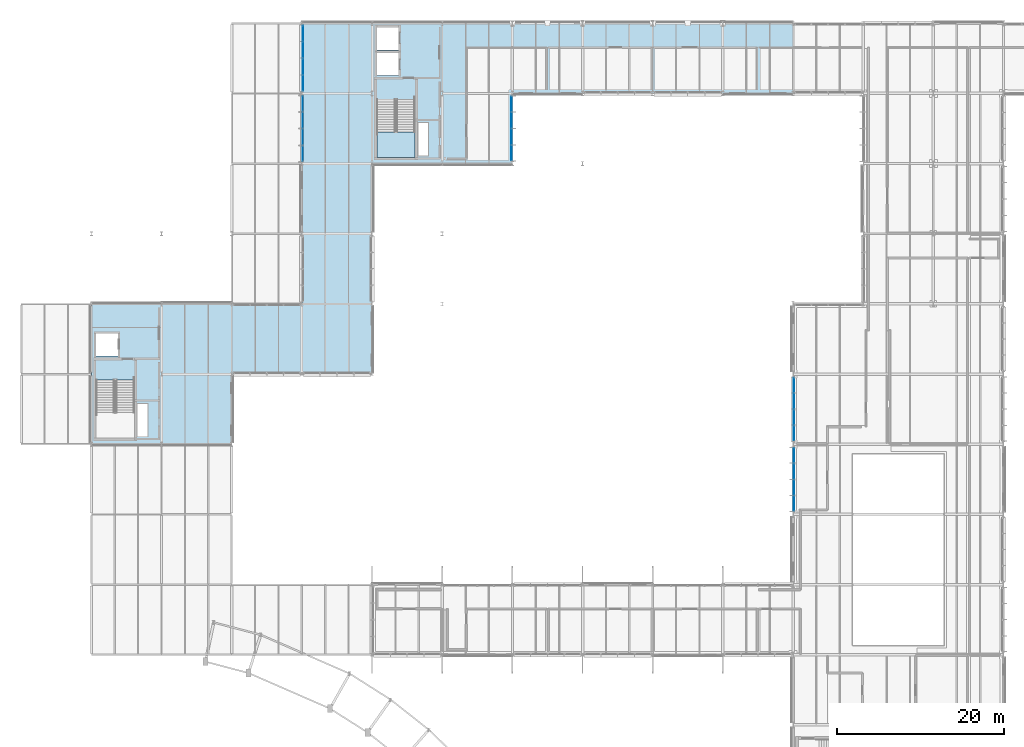
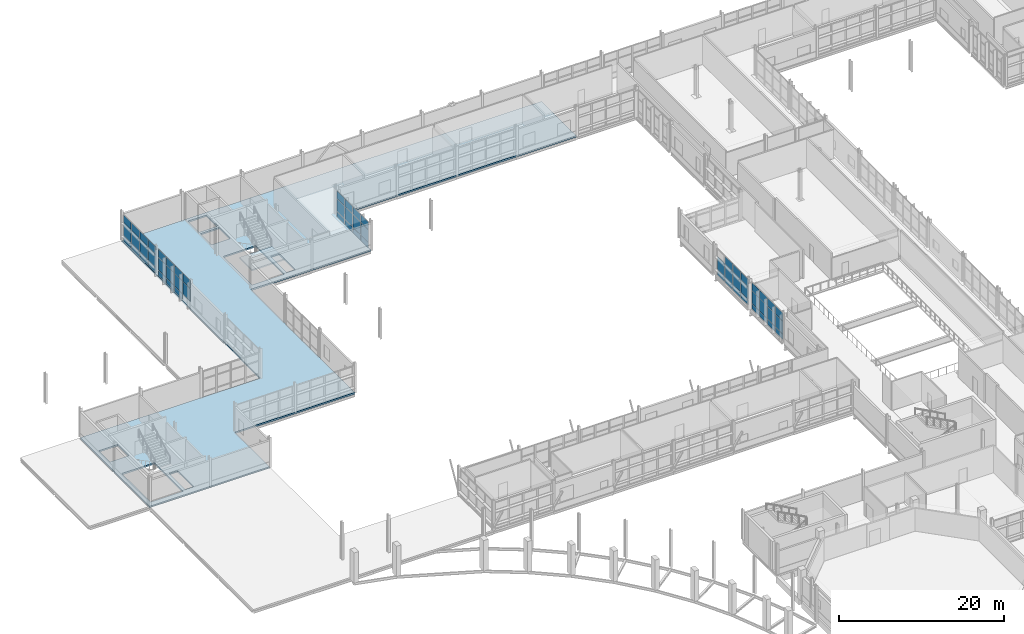
# One storey, part 85 of 129: 58 plates, 2 slabs, 6 elements without a shape of their own.
"""IFC4 building model written with IfcOpenShell, lengths in metres."""

from ifc_helpers import new_model, si_unit, direction, frame, origin, origin_2d, place, context, subcontext, project, spatial, polyline, rectangle, outline, extrude, material, layer, layer_set, type_object, element, aggregate, save


model = new_model("IFC4")

# Units and contexts
model_context = context("Model", 3, precision=1e-05, world=origin(), true_north=direction((0.0, 1.0)))
body_context = subcontext(model_context, "Body", "Model", "MODEL_VIEW")
ifc_project = project(units=[si_unit("LENGTHUNIT", "METRE"), si_unit("AREAUNIT", "SQUARE_METRE"), si_unit("VOLUMEUNIT", "CUBIC_METRE"), si_unit("PLANEANGLEUNIT", "RADIAN"), si_unit("MASSUNIT", "GRAM", prefix="KILO")], contexts=[model_context])

# Site, building, storey
site_placement = place(None, origin())
site = spatial("IfcSite", under=ifc_project, at=site_placement, CompositionType="ELEMENT")
building_placement = place(site_placement, origin())
building = spatial("IfcBuilding", under=site, at=building_placement, Name="Mersafa Astral City Hall", CompositionType="ELEMENT")
storey_placement = place(building_placement, frame((0.0, 0.0, 5.39990234375)))
storey = spatial("IfcBuildingStorey", under=building, at=storey_placement, Name="L01", CompositionType="ELEMENT", Elevation=5.39990234375)

# Curtain wall, plates
ifc_material_1 = material(Name="Anodised bronze aluminium framing", Category="aluminium")
curtain_wall_type_1 = type_object("IfcCurtainWallType", Name="ENV-CW-3", PredefinedType="USERDEFINED", material=ifc_material_1)
curtain_wall_1_placement = place(storey_placement, origin())
curtain_wall_1 = element("IfcCurtainWall", 1, at=curtain_wall_1_placement, inside=storey, type_object=curtain_wall_type_1, Name="L01 Unitised solar curtain wall 80", ObjectType="UNITISED CURTAIN WALL", PredefinedType="USERDEFINED")
ifc_material_2 = material(Name="Solar control low-e double glazing", Category="glass")
ifc_layer_1 = layer(ifc_material_2, 0.028076171875, Name="Solar control low-e double glazing")
ifc_layer_set_1 = layer_set([ifc_layer_1], Name="Solar control low-e double glazing — ENV-CW-PNL-GLZ-1")
plate_type_1 = type_object("IfcPlateType", Name="ENV-CW-PNL-GLZ-1", PredefinedType="CURTAIN_PANEL", material=ifc_layer_set_1)
plate_1_placement = place(storey_placement, frame((33.719970703125, 116.374755859375, 0.05810546875), z_axis=(0.0, 0.0, 1.0), x_axis=(0.0, -1.0, 0.0)))
plate_1 = element("IfcPlate", 2, at=plate_1_placement, type_object=plate_type_1, Name="CW-3 panel 1.1", PredefinedType="CURTAIN_PANEL", context=body_context, shape_type="SweptSolid", body=[
    extrude(rectangle(XDim=1.826416015625, YDim=0.028076171875, at=origin_2d()), origin(), (0.0, 0.0, 1.0), 0.761962890625),
])
plate_2_placement = place(storey_placement, frame((33.719970703125, 116.374755859375, 0.8798828125), z_axis=(0.0, 0.0, 1.0), x_axis=(0.0, -1.0, 0.0)))
plate_2 = element("IfcPlate", 3, at=plate_2_placement, type_object=plate_type_1, Name="CW-3 panel 1.2", PredefinedType="CURTAIN_PANEL", context=body_context, shape_type="SweptSolid", body=[
    extrude(rectangle(XDim=1.826416015625, YDim=0.028076171875, at=origin_2d()), origin(), (0.0, 0.0, 1.0), 1.840087890625),
])
plate_3_placement = place(storey_placement, frame((33.719970703125, 116.374755859375, 2.780029296875), z_axis=(0.0, 0.0, 1.0), x_axis=(0.0, -1.0, 0.0)))
plate_3 = element("IfcPlate", 4, at=plate_3_placement, type_object=plate_type_1, Name="CW-3 panel 1.3", PredefinedType="CURTAIN_PANEL", context=body_context, shape_type="SweptSolid", body=[
    extrude(rectangle(XDim=1.826416015625, YDim=0.028076171875, at=origin_2d()), origin(), (0.0, 0.0, 1.0), 1.18701171875),
])
plate_4_placement = place(storey_placement, frame((33.719970703125, 114.398193359375, 0.05810546875), z_axis=(0.0, 0.0, 1.0), x_axis=(0.0, -1.0, 0.0)))
plate_4 = element("IfcPlate", 5, at=plate_4_placement, type_object=plate_type_1, Name="CW-3 panel 2.1", PredefinedType="CURTAIN_PANEL", context=body_context, shape_type="SweptSolid", body=[
    extrude(rectangle(XDim=1.886474609375, YDim=0.028076171875, at=origin_2d()), origin(), (0.0, 0.0, 1.0), 0.761962890625),
])
plate_5_placement = place(storey_placement, frame((33.719970703125, 114.398193359375, 0.8798828125), z_axis=(0.0, 0.0, 1.0), x_axis=(0.0, -1.0, 0.0)))
plate_5 = element("IfcPlate", 6, at=plate_5_placement, type_object=plate_type_1, Name="CW-3 panel 2.2", PredefinedType="CURTAIN_PANEL", context=body_context, shape_type="SweptSolid", body=[
    extrude(rectangle(XDim=1.886474609375, YDim=0.028076171875, at=origin_2d()), origin(), (0.0, 0.0, 1.0), 1.840087890625),
])
plate_6_placement = place(storey_placement, frame((33.719970703125, 114.398193359375, 2.780029296875), z_axis=(0.0, 0.0, 1.0), x_axis=(0.0, -1.0, 0.0)))
plate_6 = element("IfcPlate", 7, at=plate_6_placement, type_object=plate_type_1, Name="CW-3 panel 2.3", PredefinedType="CURTAIN_PANEL", context=body_context, shape_type="SweptSolid", body=[
    extrude(rectangle(XDim=1.886474609375, YDim=0.028076171875, at=origin_2d()), origin(), (0.0, 0.0, 1.0), 1.18701171875),
])
plate_7_placement = place(storey_placement, frame((33.719970703125, 112.391845703125, 0.05810546875), z_axis=(0.0, 0.0, 1.0), x_axis=(0.0, -1.0, 0.0)))
plate_7 = element("IfcPlate", 8, at=plate_7_placement, type_object=plate_type_1, Name="CW-3 panel 3.1", PredefinedType="CURTAIN_PANEL", context=body_context, shape_type="SweptSolid", body=[
    extrude(rectangle(XDim=1.886474609375, YDim=0.028076171875, at=origin_2d()), origin(), (0.0, 0.0, 1.0), 0.761962890625),
])
plate_8_placement = place(storey_placement, frame((33.719970703125, 112.391845703125, 0.8798828125), z_axis=(0.0, 0.0, 1.0), x_axis=(0.0, -1.0, 0.0)))
plate_8 = element("IfcPlate", 9, at=plate_8_placement, type_object=plate_type_1, Name="CW-3 panel 3.2", PredefinedType="CURTAIN_PANEL", context=body_context, shape_type="SweptSolid", body=[
    extrude(rectangle(XDim=1.886474609375, YDim=0.028076171875, at=origin_2d()), origin(), (0.0, 0.0, 1.0), 1.840087890625),
])
plate_9_placement = place(storey_placement, frame((33.719970703125, 112.391845703125, 2.780029296875), z_axis=(0.0, 0.0, 1.0), x_axis=(0.0, -1.0, 0.0)))
plate_9 = element("IfcPlate", 10, at=plate_9_placement, type_object=plate_type_1, Name="CW-3 panel 3.3", PredefinedType="CURTAIN_PANEL", context=body_context, shape_type="SweptSolid", body=[
    extrude(rectangle(XDim=1.886474609375, YDim=0.028076171875, at=origin_2d()), origin(), (0.0, 0.0, 1.0), 1.18701171875),
])
plate_10_placement = place(storey_placement, frame((33.719970703125, 110.415283203125, 0.8798828125), z_axis=(0.0, 0.0, 1.0), x_axis=(0.0, -1.0, 0.0)))
plate_10 = element("IfcPlate", 11, at=plate_10_placement, type_object=plate_type_1, Name="CW-3 panel 4.2", PredefinedType="CURTAIN_PANEL", context=body_context, shape_type="SweptSolid", body=[
    extrude(rectangle(XDim=1.826416015625, YDim=0.028076171875, at=origin_2d()), origin(), (0.0, 0.0, 1.0), 1.840087890625),
])
plate_11_placement = place(storey_placement, frame((33.719970703125, 110.415283203125, 2.780029296875), z_axis=(0.0, 0.0, 1.0), x_axis=(0.0, -1.0, 0.0)))
plate_11 = element("IfcPlate", 12, at=plate_11_placement, type_object=plate_type_1, Name="CW-3 panel 4.3", PredefinedType="CURTAIN_PANEL", context=body_context, shape_type="SweptSolid", body=[
    extrude(rectangle(XDim=1.826416015625, YDim=0.028076171875, at=origin_2d()), origin(), (0.0, 0.0, 1.0), 1.18701171875),
])
aggregate(curtain_wall_1, [plate_1, plate_2, plate_3, plate_4, plate_5, plate_6, plate_7, plate_8, plate_9, plate_10, plate_11])

curtain_wall_type_2 = type_object("IfcCurtainWallType", Name="ENV-CW-4", PredefinedType="USERDEFINED", material=ifc_material_1)
curtain_wall_2_placement = place(storey_placement, origin())
curtain_wall_2 = element("IfcCurtainWall", 13, at=curtain_wall_2_placement, inside=storey, type_object=curtain_wall_type_2, Name="L01 Unitised solar curtain wall 93", ObjectType="UNITISED CURTAIN WALL", PredefinedType="USERDEFINED")
ifc_layer_2 = layer(ifc_material_2, 0.031982421875, Name="Solar control low-e double glazing")
ifc_layer_set_2 = layer_set([ifc_layer_2], Name="Solar control low-e double glazing — ENV-CW-PNL-GLZ-2")
plate_type_2 = type_object("IfcPlateType", Name="ENV-CW-PNL-GLZ-2", PredefinedType="CURTAIN_PANEL", material=ifc_layer_set_2)
plate_12_placement = place(storey_placement, frame((92.52001953125, 82.667236328125, 0.05810546875), z_axis=(0.0, 0.0, 1.0), x_axis=(0.0, -1.0, 0.0)))
plate_12 = element("IfcPlate", 14, at=plate_12_placement, type_object=plate_type_2, Name="CW-4 panel 1.1", PredefinedType="CURTAIN_PANEL", context=body_context, shape_type="SweptSolid", body=[
    extrude(rectangle(XDim=1.75146484375, YDim=0.031982421875, at=origin_2d()), origin(), (0.0, 0.0, 1.0), 0.761962890625),
])
plate_13_placement = place(storey_placement, frame((92.52001953125, 82.667236328125, 0.8798828125), z_axis=(0.0, 0.0, 1.0), x_axis=(0.0, -1.0, 0.0)))
plate_13 = element("IfcPlate", 15, at=plate_13_placement, type_object=plate_type_2, Name="CW-4 panel 1.2", PredefinedType="CURTAIN_PANEL", context=body_context, shape_type="SweptSolid", body=[
    extrude(rectangle(XDim=1.75146484375, YDim=0.031982421875, at=origin_2d()), origin(), (0.0, 0.0, 1.0), 1.840087890625),
])
plate_14_placement = place(storey_placement, frame((92.52001953125, 80.765869140625, 0.05810546875), z_axis=(0.0, 0.0, 1.0), x_axis=(0.0, -1.0, 0.0)))
plate_14 = element("IfcPlate", 16, at=plate_14_placement, type_object=plate_type_2, Name="CW-4 panel 2.1", PredefinedType="CURTAIN_PANEL", context=body_context, shape_type="SweptSolid", body=[
    extrude(rectangle(XDim=1.8115234375, YDim=0.031982421875, at=origin_2d()), origin(), (0.0, 0.0, 1.0), 0.761962890625),
])
plate_15_placement = place(storey_placement, frame((92.52001953125, 80.765869140625, 0.8798828125), z_axis=(0.0, 0.0, 1.0), x_axis=(0.0, -1.0, 0.0)))
plate_15 = element("IfcPlate", 17, at=plate_15_placement, type_object=plate_type_2, Name="CW-4 panel 2.2", PredefinedType="CURTAIN_PANEL", context=body_context, shape_type="SweptSolid", body=[
    extrude(rectangle(XDim=1.8115234375, YDim=0.031982421875, at=origin_2d()), origin(), (0.0, 0.0, 1.0), 1.840087890625),
])
plate_16_placement = place(storey_placement, frame((92.52001953125, 80.765869140625, 2.7802734375), z_axis=(0.0, 0.0, 1.0), x_axis=(0.0, -1.0, 0.0)))
plate_16 = element("IfcPlate", 18, at=plate_16_placement, type_object=plate_type_2, Name="CW-4 panel 2.3", PredefinedType="CURTAIN_PANEL", context=body_context, shape_type="SweptSolid", body=[
    extrude(rectangle(XDim=1.8115234375, YDim=0.031982421875, at=origin_2d()), origin(), (0.0, 0.0, 1.0), 1.096923828125),
])
plate_17_placement = place(storey_placement, frame((92.52001953125, 78.834228515625, 0.05810546875), z_axis=(0.0, 0.0, 1.0), x_axis=(0.0, -1.0, 0.0)))
plate_17 = element("IfcPlate", 19, at=plate_17_placement, type_object=plate_type_2, Name="CW-4 panel 3.1", PredefinedType="CURTAIN_PANEL", context=body_context, shape_type="SweptSolid", body=[
    extrude(rectangle(XDim=1.8115234375, YDim=0.031982421875, at=origin_2d()), origin(), (0.0, 0.0, 1.0), 0.761962890625),
])
plate_18_placement = place(storey_placement, frame((92.52001953125, 78.834228515625, 0.8798828125), z_axis=(0.0, 0.0, 1.0), x_axis=(0.0, -1.0, 0.0)))
plate_18 = element("IfcPlate", 20, at=plate_18_placement, type_object=plate_type_2, Name="CW-4 panel 3.2", PredefinedType="CURTAIN_PANEL", context=body_context, shape_type="SweptSolid", body=[
    extrude(rectangle(XDim=1.8115234375, YDim=0.031982421875, at=origin_2d()), origin(), (0.0, 0.0, 1.0), 1.840087890625),
])
plate_19_placement = place(storey_placement, frame((92.52001953125, 78.834228515625, 2.7802734375), z_axis=(0.0, 0.0, 1.0), x_axis=(0.0, -1.0, 0.0)))
plate_19 = element("IfcPlate", 21, at=plate_19_placement, type_object=plate_type_2, Name="CW-4 panel 3.3", PredefinedType="CURTAIN_PANEL", context=body_context, shape_type="SweptSolid", body=[
    extrude(rectangle(XDim=1.8115234375, YDim=0.031982421875, at=origin_2d()), origin(), (0.0, 0.0, 1.0), 1.096923828125),
])
plate_20_placement = place(storey_placement, frame((92.52001953125, 76.932861328125, 0.05810546875), z_axis=(0.0, 0.0, 1.0), x_axis=(0.0, -1.0, 0.0)))
plate_20 = element("IfcPlate", 22, at=plate_20_placement, type_object=plate_type_2, Name="CW-4 panel 4.1", PredefinedType="CURTAIN_PANEL", context=body_context, shape_type="SweptSolid", body=[
    extrude(rectangle(XDim=1.75146484375, YDim=0.031982421875, at=origin_2d()), origin(), (0.0, 0.0, 1.0), 0.761962890625),
])
plate_21_placement = place(storey_placement, frame((92.52001953125, 76.932861328125, 0.8798828125), z_axis=(0.0, 0.0, 1.0), x_axis=(0.0, -1.0, 0.0)))
plate_21 = element("IfcPlate", 23, at=plate_21_placement, type_object=plate_type_2, Name="CW-4 panel 4.2", PredefinedType="CURTAIN_PANEL", context=body_context, shape_type="SweptSolid", body=[
    extrude(rectangle(XDim=1.75146484375, YDim=0.031982421875, at=origin_2d()), origin(), (0.0, 0.0, 1.0), 1.840087890625),
])
plate_22_placement = place(storey_placement, frame((92.52001953125, 76.932861328125, 2.7802734375), z_axis=(0.0, 0.0, 1.0), x_axis=(0.0, -1.0, 0.0)))
plate_22 = element("IfcPlate", 24, at=plate_22_placement, type_object=plate_type_2, Name="CW-4 panel 4.3", PredefinedType="CURTAIN_PANEL", context=body_context, shape_type="SweptSolid", body=[
    extrude(rectangle(XDim=1.75146484375, YDim=0.031982421875, at=origin_2d()), origin(), (0.0, 0.0, 1.0), 1.096923828125),
])
aggregate(curtain_wall_2, [plate_12, plate_13, plate_14, plate_15, plate_16, plate_17, plate_18, plate_19, plate_20, plate_21, plate_22])

curtain_wall_3_placement = place(storey_placement, origin())
curtain_wall_3 = element("IfcCurtainWall", 25, at=curtain_wall_3_placement, inside=storey, type_object=curtain_wall_type_1, Name="L01 Unitised solar curtain wall 86", ObjectType="UNITISED CURTAIN WALL", PredefinedType="USERDEFINED")
ifc_layer_3 = layer(ifc_material_2, 0.035888671875, Name="Solar control low-e double glazing")
ifc_layer_set_3 = layer_set([ifc_layer_3], Name="Solar control low-e double glazing — ENV-CW-PNL-GLZ-3")
plate_type_3 = type_object("IfcPlateType", Name="ENV-CW-PNL-GLZ-3", PredefinedType="CURTAIN_PANEL", material=ifc_layer_set_3)
plate_23_placement = place(storey_placement, frame((58.679931640625, 110.4765625, 0.05810546875), z_axis=(0.0, 0.0, 1.0), x_axis=(0.0, 1.0, 0.0)))
plate_23 = element("IfcPlate", 26, at=plate_23_placement, type_object=plate_type_3, Name="CW-3 panel 1.1", PredefinedType="CURTAIN_PANEL", context=body_context, shape_type="SweptSolid", body=[
    extrude(rectangle(XDim=1.7890625, YDim=0.035888671875, at=origin_2d()), origin(), (0.0, 0.0, 1.0), 0.761962890625),
])
plate_24_placement = place(storey_placement, frame((58.679931640625, 110.4765625, 0.8798828125), z_axis=(0.0, 0.0, 1.0), x_axis=(0.0, 1.0, 0.0)))
plate_24 = element("IfcPlate", 27, at=plate_24_placement, type_object=plate_type_3, Name="CW-3 panel 1.2", PredefinedType="CURTAIN_PANEL", context=body_context, shape_type="SweptSolid", body=[
    extrude(rectangle(XDim=1.7890625, YDim=0.035888671875, at=origin_2d()), origin(), (0.0, 0.0, 1.0), 1.840087890625),
])
plate_25_placement = place(storey_placement, frame((58.679931640625, 110.4765625, 2.7802734375), z_axis=(0.0, 0.0, 1.0), x_axis=(0.0, 1.0, 0.0)))
plate_25 = element("IfcPlate", 28, at=plate_25_placement, type_object=plate_type_3, Name="CW-3 panel 1.3", PredefinedType="CURTAIN_PANEL", context=body_context, shape_type="SweptSolid", body=[
    extrude(rectangle(XDim=1.7890625, YDim=0.035888671875, at=origin_2d()), origin(), (0.0, 0.0, 1.0), 1.096923828125),
])
plate_26_placement = place(storey_placement, frame((58.679931640625, 112.41552734375, 0.05810546875), z_axis=(0.0, 0.0, 1.0), x_axis=(0.0, 1.0, 0.0)))
plate_26 = element("IfcPlate", 29, at=plate_26_placement, type_object=plate_type_3, Name="CW-3 panel 2.1", PredefinedType="CURTAIN_PANEL", context=body_context, shape_type="SweptSolid", body=[
    extrude(rectangle(XDim=1.84912109375, YDim=0.035888671875, at=origin_2d()), origin(), (0.0, 0.0, 1.0), 0.761962890625),
])
plate_27_placement = place(storey_placement, frame((58.679931640625, 112.41552734375, 0.8798828125), z_axis=(0.0, 0.0, 1.0), x_axis=(0.0, 1.0, 0.0)))
plate_27 = element("IfcPlate", 30, at=plate_27_placement, type_object=plate_type_3, Name="CW-3 panel 2.2", PredefinedType="CURTAIN_PANEL", context=body_context, shape_type="SweptSolid", body=[
    extrude(rectangle(XDim=1.84912109375, YDim=0.035888671875, at=origin_2d()), origin(), (0.0, 0.0, 1.0), 1.840087890625),
])
plate_28_placement = place(storey_placement, frame((58.679931640625, 112.41552734375, 2.7802734375), z_axis=(0.0, 0.0, 1.0), x_axis=(0.0, 1.0, 0.0)))
plate_28 = element("IfcPlate", 31, at=plate_28_placement, type_object=plate_type_3, Name="CW-3 panel 2.3", PredefinedType="CURTAIN_PANEL", context=body_context, shape_type="SweptSolid", body=[
    extrude(rectangle(XDim=1.84912109375, YDim=0.035888671875, at=origin_2d()), origin(), (0.0, 0.0, 1.0), 1.096923828125),
])
plate_29_placement = place(storey_placement, frame((58.679931640625, 114.384521484375, 0.05810546875), z_axis=(0.0, 0.0, 1.0), x_axis=(0.0, 1.0, 0.0)))
plate_29 = element("IfcPlate", 32, at=plate_29_placement, type_object=plate_type_3, Name="CW-3 panel 3.1", PredefinedType="CURTAIN_PANEL", context=body_context, shape_type="SweptSolid", body=[
    extrude(rectangle(XDim=1.84912109375, YDim=0.035888671875, at=origin_2d()), origin(), (0.0, 0.0, 1.0), 0.761962890625),
])
plate_30_placement = place(storey_placement, frame((58.679931640625, 114.384521484375, 0.8798828125), z_axis=(0.0, 0.0, 1.0), x_axis=(0.0, 1.0, 0.0)))
plate_30 = element("IfcPlate", 33, at=plate_30_placement, type_object=plate_type_3, Name="CW-3 panel 3.2", PredefinedType="CURTAIN_PANEL", context=body_context, shape_type="SweptSolid", body=[
    extrude(rectangle(XDim=1.84912109375, YDim=0.035888671875, at=origin_2d()), origin(), (0.0, 0.0, 1.0), 1.840087890625),
])
plate_31_placement = place(storey_placement, frame((58.679931640625, 114.384521484375, 2.7802734375), z_axis=(0.0, 0.0, 1.0), x_axis=(0.0, 1.0, 0.0)))
plate_31 = element("IfcPlate", 34, at=plate_31_placement, type_object=plate_type_3, Name="CW-3 panel 3.3", PredefinedType="CURTAIN_PANEL", context=body_context, shape_type="SweptSolid", body=[
    extrude(rectangle(XDim=1.84912109375, YDim=0.035888671875, at=origin_2d()), origin(), (0.0, 0.0, 1.0), 1.096923828125),
])
plate_32_placement = place(storey_placement, frame((58.679931640625, 116.323486328125, 0.05810546875), z_axis=(0.0, 0.0, 1.0), x_axis=(0.0, 1.0, 0.0)))
plate_32 = element("IfcPlate", 35, at=plate_32_placement, type_object=plate_type_3, Name="CW-3 panel 4.1", PredefinedType="CURTAIN_PANEL", context=body_context, shape_type="SweptSolid", body=[
    extrude(rectangle(XDim=1.7890625, YDim=0.035888671875, at=origin_2d()), origin(), (0.0, 0.0, 1.0), 0.761962890625),
])
plate_33_placement = place(storey_placement, frame((58.679931640625, 116.323486328125, 0.8798828125), z_axis=(0.0, 0.0, 1.0), x_axis=(0.0, 1.0, 0.0)))
plate_33 = element("IfcPlate", 36, at=plate_33_placement, type_object=plate_type_3, Name="CW-3 panel 4.2", PredefinedType="CURTAIN_PANEL", context=body_context, shape_type="SweptSolid", body=[
    extrude(rectangle(XDim=1.7890625, YDim=0.035888671875, at=origin_2d()), origin(), (0.0, 0.0, 1.0), 1.840087890625),
])
plate_34_placement = place(storey_placement, frame((58.679931640625, 116.323486328125, 2.7802734375), z_axis=(0.0, 0.0, 1.0), x_axis=(0.0, 1.0, 0.0)))
plate_34 = element("IfcPlate", 37, at=plate_34_placement, type_object=plate_type_3, Name="CW-3 panel 4.3", PredefinedType="CURTAIN_PANEL", context=body_context, shape_type="SweptSolid", body=[
    extrude(rectangle(XDim=1.7890625, YDim=0.035888671875, at=origin_2d()), origin(), (0.0, 0.0, 1.0), 1.096923828125),
])
aggregate(curtain_wall_3, [plate_23, plate_24, plate_25, plate_26, plate_27, plate_28, plate_29, plate_30, plate_31, plate_32, plate_33, plate_34])

curtain_wall_type_3 = type_object("IfcCurtainWallType", Name="ENV-CW-5", PredefinedType="USERDEFINED", material=ifc_material_1)
curtain_wall_4_placement = place(storey_placement, origin())
curtain_wall_4 = element("IfcCurtainWall", 38, at=curtain_wall_4_placement, inside=storey, type_object=curtain_wall_type_3, Name="L01 Unitised solar curtain wall 94", ObjectType="UNITISED CURTAIN WALL", PredefinedType="USERDEFINED")
plate_35_placement = place(storey_placement, frame((92.52001953125, 74.267333984375, 0.05810546875), z_axis=(0.0, 0.0, 1.0), x_axis=(0.0, -1.0, 0.0)))
plate_35 = element("IfcPlate", 39, at=plate_35_placement, type_object=plate_type_3, Name="CW-5 panel 1.1", PredefinedType="CURTAIN_PANEL", context=body_context, shape_type="SweptSolid", body=[
    extrude(rectangle(XDim=1.75146484375, YDim=0.035888671875, at=origin_2d()), origin(), (0.0, 0.0, 1.0), 0.761962890625),
])
plate_36_placement = place(storey_placement, frame((92.52001953125, 74.267333984375, 0.8798828125), z_axis=(0.0, 0.0, 1.0), x_axis=(0.0, -1.0, 0.0)))
plate_36 = element("IfcPlate", 40, at=plate_36_placement, type_object=plate_type_3, Name="CW-5 panel 1.2", PredefinedType="CURTAIN_PANEL", context=body_context, shape_type="SweptSolid", body=[
    extrude(rectangle(XDim=1.75146484375, YDim=0.035888671875, at=origin_2d()), origin(), (0.0, 0.0, 1.0), 1.840087890625),
])
plate_37_placement = place(storey_placement, frame((92.52001953125, 74.267333984375, 2.780029296875), z_axis=(0.0, 0.0, 1.0), x_axis=(0.0, -1.0, 0.0)))
plate_37 = element("IfcPlate", 41, at=plate_37_placement, type_object=plate_type_3, Name="CW-5 panel 1.3", PredefinedType="CURTAIN_PANEL", context=body_context, shape_type="SweptSolid", body=[
    extrude(rectangle(XDim=1.75146484375, YDim=0.035888671875, at=origin_2d()), origin(), (0.0, 0.0, 1.0), 1.18701171875),
])
plate_38_placement = place(storey_placement, frame((92.52001953125, 72.36572265625, 0.05810546875), z_axis=(0.0, 0.0, 1.0), x_axis=(0.0, -1.0, 0.0)))
plate_38 = element("IfcPlate", 42, at=plate_38_placement, type_object=plate_type_3, Name="CW-5 panel 2.1", PredefinedType="CURTAIN_PANEL", context=body_context, shape_type="SweptSolid", body=[
    extrude(rectangle(XDim=1.8115234375, YDim=0.035888671875, at=origin_2d()), origin(), (0.0, 0.0, 1.0), 0.761962890625),
])
plate_39_placement = place(storey_placement, frame((92.52001953125, 72.36572265625, 0.8798828125), z_axis=(0.0, 0.0, 1.0), x_axis=(0.0, -1.0, 0.0)))
plate_39 = element("IfcPlate", 43, at=plate_39_placement, type_object=plate_type_3, Name="CW-5 panel 2.2", PredefinedType="CURTAIN_PANEL", context=body_context, shape_type="SweptSolid", body=[
    extrude(rectangle(XDim=1.8115234375, YDim=0.035888671875, at=origin_2d()), origin(), (0.0, 0.0, 1.0), 1.840087890625),
])
plate_40_placement = place(storey_placement, frame((92.52001953125, 72.36572265625, 2.780029296875), z_axis=(0.0, 0.0, 1.0), x_axis=(0.0, -1.0, 0.0)))
plate_40 = element("IfcPlate", 44, at=plate_40_placement, type_object=plate_type_3, Name="CW-5 panel 2.3", PredefinedType="CURTAIN_PANEL", context=body_context, shape_type="SweptSolid", body=[
    extrude(rectangle(XDim=1.8115234375, YDim=0.035888671875, at=origin_2d()), origin(), (0.0, 0.0, 1.0), 1.18701171875),
])
plate_41_placement = place(storey_placement, frame((92.52001953125, 70.434326171875, 0.05810546875), z_axis=(0.0, 0.0, 1.0), x_axis=(0.0, -1.0, 0.0)))
plate_41 = element("IfcPlate", 45, at=plate_41_placement, type_object=plate_type_3, Name="CW-5 panel 3.1", PredefinedType="CURTAIN_PANEL", context=body_context, shape_type="SweptSolid", body=[
    extrude(rectangle(XDim=1.8115234375, YDim=0.035888671875, at=origin_2d()), origin(), (0.0, 0.0, 1.0), 0.761962890625),
])
plate_42_placement = place(storey_placement, frame((92.52001953125, 70.434326171875, 0.8798828125), z_axis=(0.0, 0.0, 1.0), x_axis=(0.0, -1.0, 0.0)))
plate_42 = element("IfcPlate", 46, at=plate_42_placement, type_object=plate_type_3, Name="CW-5 panel 3.2", PredefinedType="CURTAIN_PANEL", context=body_context, shape_type="SweptSolid", body=[
    extrude(rectangle(XDim=1.8115234375, YDim=0.035888671875, at=origin_2d()), origin(), (0.0, 0.0, 1.0), 1.840087890625),
])
plate_43_placement = place(storey_placement, frame((92.52001953125, 70.434326171875, 2.780029296875), z_axis=(0.0, 0.0, 1.0), x_axis=(0.0, -1.0, 0.0)))
plate_43 = element("IfcPlate", 47, at=plate_43_placement, type_object=plate_type_3, Name="CW-5 panel 3.3", PredefinedType="CURTAIN_PANEL", context=body_context, shape_type="SweptSolid", body=[
    extrude(rectangle(XDim=1.8115234375, YDim=0.035888671875, at=origin_2d()), origin(), (0.0, 0.0, 1.0), 1.18701171875),
])
plate_44_placement = place(storey_placement, frame((92.52001953125, 68.53271484375, 0.05810546875), z_axis=(0.0, 0.0, 1.0), x_axis=(0.0, -1.0, 0.0)))
plate_44 = element("IfcPlate", 48, at=plate_44_placement, type_object=plate_type_3, Name="CW-5 panel 4.1", PredefinedType="CURTAIN_PANEL", context=body_context, shape_type="SweptSolid", body=[
    extrude(rectangle(XDim=1.75146484375, YDim=0.035888671875, at=origin_2d()), origin(), (0.0, 0.0, 1.0), 0.761962890625),
])
plate_45_placement = place(storey_placement, frame((92.52001953125, 68.53271484375, 0.8798828125), z_axis=(0.0, 0.0, 1.0), x_axis=(0.0, -1.0, 0.0)))
plate_45 = element("IfcPlate", 49, at=plate_45_placement, type_object=plate_type_3, Name="CW-5 panel 4.2", PredefinedType="CURTAIN_PANEL", context=body_context, shape_type="SweptSolid", body=[
    extrude(rectangle(XDim=1.75146484375, YDim=0.035888671875, at=origin_2d()), origin(), (0.0, 0.0, 1.0), 1.840087890625),
])
plate_46_placement = place(storey_placement, frame((92.52001953125, 68.53271484375, 2.780029296875), z_axis=(0.0, 0.0, 1.0), x_axis=(0.0, -1.0, 0.0)))
plate_46 = element("IfcPlate", 50, at=plate_46_placement, type_object=plate_type_3, Name="CW-5 panel 4.3", PredefinedType="CURTAIN_PANEL", context=body_context, shape_type="SweptSolid", body=[
    extrude(rectangle(XDim=1.75146484375, YDim=0.035888671875, at=origin_2d()), origin(), (0.0, 0.0, 1.0), 1.18701171875),
])
aggregate(curtain_wall_4, [plate_35, plate_36, plate_37, plate_38, plate_39, plate_40, plate_41, plate_42, plate_43, plate_44, plate_45, plate_46])

curtain_wall_type_4 = type_object("IfcCurtainWallType", Name="ENV-CW-2", PredefinedType="USERDEFINED", material=ifc_material_1)
curtain_wall_5_placement = place(storey_placement, origin())
curtain_wall_5 = element("IfcCurtainWall", 51, at=curtain_wall_5_placement, inside=storey, type_object=curtain_wall_type_4, Name="L01 Unitised solar curtain wall 79", ObjectType="UNITISED CURTAIN WALL", PredefinedType="USERDEFINED")
ifc_layer_4 = layer(ifc_material_2, 0.0400390625, Name="Solar control low-e double glazing")
ifc_layer_set_4 = layer_set([ifc_layer_4], Name="Solar control low-e double glazing — ENV-CW-PNL-GLZ-4")
plate_type_4 = type_object("IfcPlateType", Name="ENV-CW-PNL-GLZ-4", PredefinedType="CURTAIN_PANEL", material=ifc_layer_set_4)
plate_47_placement = place(storey_placement, frame((33.719970703125, 124.78466796875, 0.05810546875), z_axis=(0.0, 0.0, 1.0), x_axis=(0.0, -1.0, 0.0)))
plate_47 = element("IfcPlate", 52, at=plate_47_placement, type_object=plate_type_4, Name="CW-2 panel 1.1", PredefinedType="CURTAIN_PANEL", context=body_context, shape_type="SweptSolid", body=[
    extrude(rectangle(XDim=1.826416015625, YDim=0.0400390625, at=origin_2d()), origin(), (0.0, 0.0, 1.0), 0.761962890625),
])
plate_48_placement = place(storey_placement, frame((33.719970703125, 124.78466796875, 0.8798828125), z_axis=(0.0, 0.0, 1.0), x_axis=(0.0, -1.0, 0.0)))
plate_48 = element("IfcPlate", 53, at=plate_48_placement, type_object=plate_type_4, Name="CW-2 panel 1.2", PredefinedType="CURTAIN_PANEL", context=body_context, shape_type="SweptSolid", body=[
    extrude(rectangle(XDim=1.826416015625, YDim=0.0400390625, at=origin_2d()), origin(), (0.0, 0.0, 1.0), 1.840087890625),
])
plate_49_placement = place(storey_placement, frame((33.719970703125, 124.78466796875, 2.7802734375), z_axis=(0.0, 0.0, 1.0), x_axis=(0.0, -1.0, 0.0)))
plate_49 = element("IfcPlate", 54, at=plate_49_placement, type_object=plate_type_4, Name="CW-2 panel 1.3", PredefinedType="CURTAIN_PANEL", context=body_context, shape_type="SweptSolid", body=[
    extrude(rectangle(XDim=1.826416015625, YDim=0.0400390625, at=origin_2d()), origin(), (0.0, 0.0, 1.0), 1.096923828125),
])
plate_50_placement = place(storey_placement, frame((33.719970703125, 122.808349609375, 0.05810546875), z_axis=(0.0, 0.0, 1.0), x_axis=(0.0, -1.0, 0.0)))
plate_50 = element("IfcPlate", 55, at=plate_50_placement, type_object=plate_type_4, Name="CW-2 panel 2.1", PredefinedType="CURTAIN_PANEL", context=body_context, shape_type="SweptSolid", body=[
    extrude(rectangle(XDim=1.886474609375, YDim=0.0400390625, at=origin_2d()), origin(), (0.0, 0.0, 1.0), 0.761962890625),
])
plate_51_placement = place(storey_placement, frame((33.719970703125, 122.808349609375, 0.8798828125), z_axis=(0.0, 0.0, 1.0), x_axis=(0.0, -1.0, 0.0)))
plate_51 = element("IfcPlate", 56, at=plate_51_placement, type_object=plate_type_4, Name="CW-2 panel 2.2", PredefinedType="CURTAIN_PANEL", context=body_context, shape_type="SweptSolid", body=[
    extrude(rectangle(XDim=1.886474609375, YDim=0.0400390625, at=origin_2d()), origin(), (0.0, 0.0, 1.0), 1.840087890625),
])
plate_52_placement = place(storey_placement, frame((33.719970703125, 122.808349609375, 2.7802734375), z_axis=(0.0, 0.0, 1.0), x_axis=(0.0, -1.0, 0.0)))
plate_52 = element("IfcPlate", 57, at=plate_52_placement, type_object=plate_type_4, Name="CW-2 panel 2.3", PredefinedType="CURTAIN_PANEL", context=body_context, shape_type="SweptSolid", body=[
    extrude(rectangle(XDim=1.886474609375, YDim=0.0400390625, at=origin_2d()), origin(), (0.0, 0.0, 1.0), 1.096923828125),
])
plate_53_placement = place(storey_placement, frame((33.719970703125, 120.8017578125, 0.05810546875), z_axis=(0.0, 0.0, 1.0), x_axis=(0.0, -1.0, 0.0)))
plate_53 = element("IfcPlate", 58, at=plate_53_placement, type_object=plate_type_4, Name="CW-2 panel 3.1", PredefinedType="CURTAIN_PANEL", context=body_context, shape_type="SweptSolid", body=[
    extrude(rectangle(XDim=1.886474609375, YDim=0.0400390625, at=origin_2d()), origin(), (0.0, 0.0, 1.0), 0.761962890625),
])
plate_54_placement = place(storey_placement, frame((33.719970703125, 120.8017578125, 0.8798828125), z_axis=(0.0, 0.0, 1.0), x_axis=(0.0, -1.0, 0.0)))
plate_54 = element("IfcPlate", 59, at=plate_54_placement, type_object=plate_type_4, Name="CW-2 panel 3.2", PredefinedType="CURTAIN_PANEL", context=body_context, shape_type="SweptSolid", body=[
    extrude(rectangle(XDim=1.886474609375, YDim=0.0400390625, at=origin_2d()), origin(), (0.0, 0.0, 1.0), 1.840087890625),
])
plate_55_placement = place(storey_placement, frame((33.719970703125, 120.8017578125, 2.7802734375), z_axis=(0.0, 0.0, 1.0), x_axis=(0.0, -1.0, 0.0)))
plate_55 = element("IfcPlate", 60, at=plate_55_placement, type_object=plate_type_4, Name="CW-2 panel 3.3", PredefinedType="CURTAIN_PANEL", context=body_context, shape_type="SweptSolid", body=[
    extrude(rectangle(XDim=1.886474609375, YDim=0.0400390625, at=origin_2d()), origin(), (0.0, 0.0, 1.0), 1.096923828125),
])
plate_56_placement = place(storey_placement, frame((33.719970703125, 118.8251953125, 0.05810546875), z_axis=(0.0, 0.0, 1.0), x_axis=(0.0, -1.0, 0.0)))
plate_56 = element("IfcPlate", 61, at=plate_56_placement, type_object=plate_type_4, Name="CW-2 panel 4.1", PredefinedType="CURTAIN_PANEL", context=body_context, shape_type="SweptSolid", body=[
    extrude(rectangle(XDim=1.826416015625, YDim=0.0400390625, at=origin_2d()), origin(), (0.0, 0.0, 1.0), 0.761962890625),
])
plate_57_placement = place(storey_placement, frame((33.719970703125, 118.8251953125, 0.8798828125), z_axis=(0.0, 0.0, 1.0), x_axis=(0.0, -1.0, 0.0)))
plate_57 = element("IfcPlate", 62, at=plate_57_placement, type_object=plate_type_4, Name="CW-2 panel 4.2", PredefinedType="CURTAIN_PANEL", context=body_context, shape_type="SweptSolid", body=[
    extrude(rectangle(XDim=1.826416015625, YDim=0.0400390625, at=origin_2d()), origin(), (0.0, 0.0, 1.0), 1.840087890625),
])
plate_58_placement = place(storey_placement, frame((33.719970703125, 118.8251953125, 2.7802734375), z_axis=(0.0, 0.0, 1.0), x_axis=(0.0, -1.0, 0.0)))
plate_58 = element("IfcPlate", 63, at=plate_58_placement, type_object=plate_type_4, Name="CW-2 panel 4.3", PredefinedType="CURTAIN_PANEL", context=body_context, shape_type="SweptSolid", body=[
    extrude(rectangle(XDim=1.826416015625, YDim=0.0400390625, at=origin_2d()), origin(), (0.0, 0.0, 1.0), 1.096923828125),
])
aggregate(curtain_wall_5, [plate_47, plate_48, plate_49, plate_50, plate_51, plate_52, plate_53, plate_54, plate_55, plate_56, plate_57, plate_58])

# Stair, slab
ifc_material_3 = material(Name="Concrete C40/50", Category="concrete")
stair_type = type_object("IfcStairType", Name="STAIR", PredefinedType="HALF_TURN_STAIR", material=ifc_material_3)
stair_placement = place(storey_placement, origin())
stair = element("IfcStair", 64, at=stair_placement, inside=storey, type_object=stair_type, Name="L01 Protected Exit Stair ST3", PredefinedType="HALF_TURN_STAIR")
ifc_layer_5 = layer(ifc_material_3, 0.199951171875, Name="Concrete C40/50")
ifc_layer_set_5 = layer_set([ifc_layer_5], Name="Concrete C40/50 — STAIR-LANDING")
slab_type_1 = type_object("IfcSlabType", Name="STAIR-LANDING", PredefinedType="LANDING", material=ifc_layer_set_5)
slab_1_placement = place(storey_placement, frame((0.0, 0.0, 2.050048828125)))
slab_1 = element("IfcSlab", 65, at=slab_1_placement, type_object=slab_type_1, Name="ST3 landing 1", PredefinedType="LANDING", context=body_context, shape_type="SweptSolid", body=[
    extrude(outline(polyline([(42.580078125, 113.0), (42.580078125, 109.949951171875), (47.139892578125, 109.949951171875), (47.139892578125, 113.0), (42.580078125, 113.0)])), origin(), (0.0, 0.0, 1.0), 0.199951171875),
])
aggregate(stair, [slab_1])

# Slab
ifc_material_4 = material(Name="Concrete C35/45", Category="concrete")
ifc_layer_6 = layer(ifc_material_4, 0.22509765625, Name="Concrete C35/45")
ifc_layer_set_6 = layer_set([ifc_layer_6], Name="Concrete C35/45 — STR-SLAB-FLR-225")
slab_type_2 = type_object("IfcSlabType", Name="STR-SLAB-FLR-225", PredefinedType="FLOOR", material=ifc_layer_set_6)
slab_2_placement = place(storey_placement, frame((0.0, 0.0, -0.224853515625)))
element("IfcSlab", 66, at=slab_2_placement, inside=storey, type_object=slab_type_2, Name="L01 V4 structural floor slab 1", PredefinedType="FLOOR", context=body_context, shape_type="SweptSolid", body=[
    extrude(outline(polyline([(25.199951171875, 92.39990234375), (33.60009765625, 92.39990234375), (33.60009765625, 100.800048828125), (33.60009765625, 109.199951171875), (33.60009765625, 117.60009765625), (33.60009765625, 126.0), (42.0, 126.0), (50.39990234375, 126.0), (58.800048828125, 126.0), (67.199951171875, 126.0), (75.60009765625, 126.0), (84.0, 126.0), (92.39990234375, 126.0), (92.39990234375, 117.60009765625), (84.0, 117.60009765625), (75.60009765625, 117.60009765625), (67.199951171875, 117.60009765625), (58.800048828125, 117.60009765625), (58.800048828125, 109.199951171875), (50.39990234375, 109.199951171875), (42.0, 109.199951171875), (42.0, 100.800048828125), (42.0, 92.39990234375), (42.0, 84.0), (33.60009765625, 84.0), (25.199951171875, 84.0), (25.199951171875, 75.60009765625), (16.800048828125, 75.60009765625), (8.39990234375, 75.60009765625), (8.39990234375, 84.0), (8.39990234375, 92.39990234375), (16.800048828125, 92.39990234375), (25.199951171875, 92.39990234375)]), holes=[polyline([(15.1298828125, 80.449951171875), (13.949951171875, 80.449951171875), (13.949951171875, 76.550048828125), (15.1298828125, 76.550048828125), (15.1298828125, 80.449951171875)]), polyline([(8.97998046875, 83.300048828125), (8.97998046875, 76.35009765625), (13.5400390625, 76.35009765625), (13.5400390625, 83.300048828125), (8.97998046875, 83.300048828125)]), polyline([(11.580078125, 86.14990234375), (11.580078125, 88.85009765625), (8.97998046875, 88.85009765625), (8.97998046875, 86.14990234375), (11.580078125, 86.14990234375)]), polyline([(48.72998046875, 110.14990234375), (48.72998046875, 114.050048828125), (47.550048828125, 114.050048828125), (47.550048828125, 110.14990234375), (48.72998046875, 110.14990234375)]), polyline([(42.580078125, 116.89990234375), (42.580078125, 109.949951171875), (47.139892578125, 109.949951171875), (47.139892578125, 116.89990234375), (42.580078125, 116.89990234375)]), polyline([(45.179931640625, 119.75), (45.179931640625, 122.449951171875), (42.580078125, 122.449951171875), (42.580078125, 119.75), (45.179931640625, 119.75)]), polyline([(45.179931640625, 122.800048828125), (45.179931640625, 125.5), (42.580078125, 125.5), (42.580078125, 122.800048828125), (45.179931640625, 122.800048828125)])]), origin(), (0.0, 0.0, 1.0), 0.224853515625),
])

save(model, "model.ifc")
